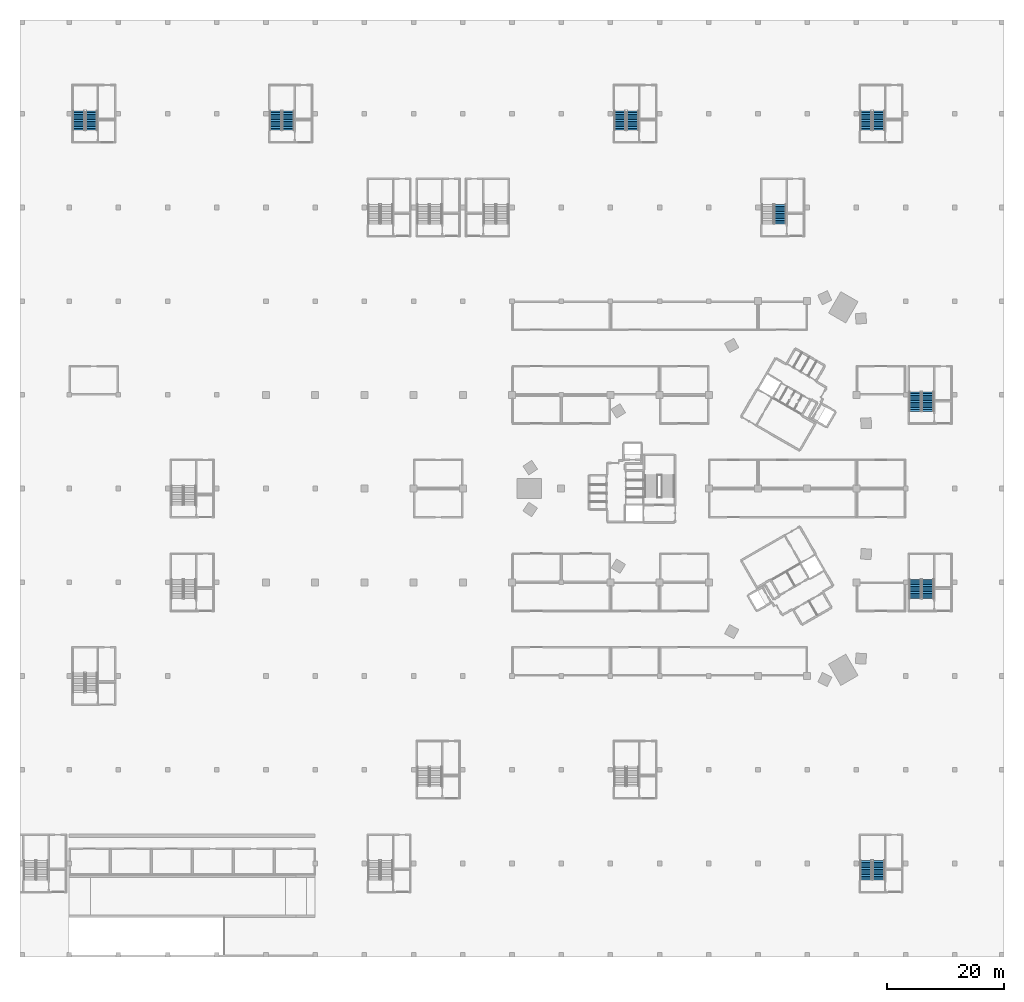
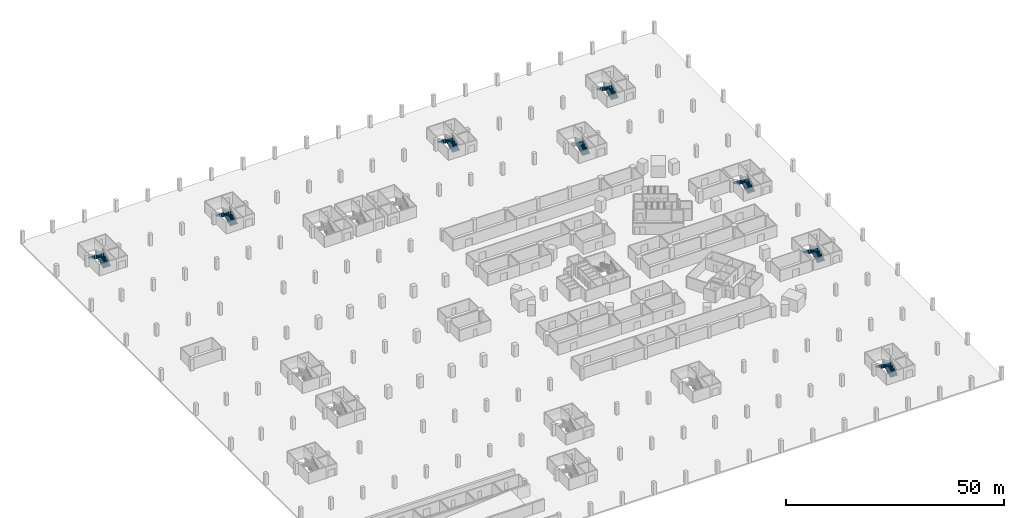
# One storey, part 18 of 37: 15 stair flights, 8 elements without a shape of their own.
"""IFC4 building model written with IfcOpenShell, lengths in metres."""

from ifc_helpers import new_model, si_unit, direction, frame, origin, place, context, subcontext, project, spatial, polyline, outline, extrude, material, layer, layer_set, type_object, element, aggregate, save


model = new_model("IFC4")

# Units and contexts
model_context = context("Model", 3, precision=1e-05, world=origin(), true_north=direction((0.0, 1.0)))
body_context = subcontext(model_context, "Body", "Model", "MODEL_VIEW")
ifc_project = project(units=[si_unit("LENGTHUNIT", "METRE"), si_unit("AREAUNIT", "SQUARE_METRE"), si_unit("VOLUMEUNIT", "CUBIC_METRE"), si_unit("PLANEANGLEUNIT", "RADIAN"), si_unit("MASSUNIT", "GRAM", prefix="KILO")], contexts=[model_context])

# Site, building, storey
site_placement = place(None, origin())
site = spatial("IfcSite", under=ifc_project, at=site_placement, CompositionType="ELEMENT")
building_placement = place(site_placement, origin())
building = spatial("IfcBuilding", under=site, at=building_placement, Name="Tamra Quay Hotel Tower", CompositionType="ELEMENT")
storey_placement = place(building_placement, frame((0.0, 0.0, -7.199951171875)))
storey = spatial("IfcBuildingStorey", under=building, at=storey_placement, Name="B2", CompositionType="ELEMENT", Elevation=-7.199951171875)

# Stair, stair flights
ifc_material_1 = material(Name="Basement exit stair")
stair_type = type_object("IfcStairType", Name="Basement exit stair", PredefinedType="HALF_TURN_STAIR", material=ifc_material_1)
stair_1_placement = place(storey_placement, origin())
stair_1 = element("IfcStair", 1, at=stair_1_placement, inside=storey, type_object=stair_type, Name="B2 Basement Exit Stair BS2", PredefinedType="HALF_TURN_STAIR")
ifc_material_2 = material(Name="Concrete M60", Category="concrete")
ifc_layer = layer(ifc_material_2, 0.14990234375)
ifc_layer_set = layer_set([ifc_layer], Name="Concrete M60 basement stair flight 150")
stair_flight_type = type_object("IfcStairFlightType", Name="Concrete M60 basement stair flight 150", PredefinedType="STRAIGHT", material=ifc_layer_set)
stair_flight_1_placement = place(storey_placement, frame((-110.5, 61.199951171875, 0.0), z_axis=(0.0, 0.0, 1.0), x_axis=(0.0, 1.0, 0.0)))
stair_flight_1 = element("IfcStairFlight", 2, at=stair_flight_1_placement, type_object=stair_flight_type, Name="BS2 flight 1", NumberOfRisers=12, NumberOfTreads=11, PredefinedType="STRAIGHT", RiserHeight=0.15, TreadLength=0.3, context=body_context, shape_type="SweptSolid", body=[
    extrude(outline(polyline([(0.0, 0.0), (0.0, 0.14990234375), (0.300048828125, 0.14990234375), (0.300048828125, 0.300048828125), (0.60009765625, 0.300048828125), (0.60009765625, 0.449951171875), (0.89990234375, 0.449951171875), (0.89990234375, 0.60009765625), (1.199951171875, 0.60009765625), (1.199951171875, 0.75), (1.5, 0.75), (1.5, 0.89990234375), (1.800048828125, 0.89990234375), (1.800048828125, 1.050048828125), (2.10009765625, 1.050048828125), (2.10009765625, 1.199951171875), (2.39990234375, 1.199951171875), (2.39990234375, 1.35009765625), (2.699951171875, 1.35009765625), (2.699951171875, 1.5), (3.0, 1.5), (3.0, 1.64990234375), (3.300048828125, 1.64990234375), (3.300048828125, 1.800048828125), (3.300048828125, 1.482421875), (0.335205078125, 0.0), (0.0, 0.0)])), frame((0.0, 1.0, 0.0), z_axis=(0.0, -1.0, 0.0), x_axis=(1.0, 0.0, 0.0)), (0.0, 0.0, 1.0), 2.0),
])
stair_flight_2_placement = place(storey_placement, frame((-112.64990234375, 64.5, 1.800048828125), z_axis=(0.0, 0.0, 1.0), x_axis=(0.0, -1.0, 0.0)))
stair_flight_2 = element("IfcStairFlight", 3, at=stair_flight_2_placement, type_object=stair_flight_type, Name="BS2 flight 2", NumberOfRisers=12, NumberOfTreads=11, PredefinedType="STRAIGHT", RiserHeight=0.15, TreadLength=0.3, context=body_context, shape_type="SweptSolid", body=[
    extrude(outline(polyline([(0.0, 0.0), (0.0, 0.14990234375), (0.300048828125, 0.14990234375), (0.300048828125, 0.300048828125), (0.60009765625, 0.300048828125), (0.60009765625, 0.449951171875), (0.89990234375, 0.449951171875), (0.89990234375, 0.60009765625), (1.199951171875, 0.60009765625), (1.199951171875, 0.75), (1.5, 0.75), (1.5, 0.89990234375), (1.800048828125, 0.89990234375), (1.800048828125, 1.050048828125), (2.10009765625, 1.050048828125), (2.10009765625, 1.199951171875), (2.39990234375, 1.199951171875), (2.39990234375, 1.35009765625), (2.699951171875, 1.35009765625), (2.699951171875, 1.5), (3.0, 1.5), (3.0, 1.64990234375), (3.300048828125, 1.64990234375), (3.300048828125, 1.800048828125), (3.300048828125, 1.482421875), (0.335205078125, 0.0), (0.0, 0.0)])), frame((0.0, 1.0, 0.0), z_axis=(0.0, -1.0, 0.0), x_axis=(1.0, 0.0, 0.0)), (0.0, 0.0, 1.0), 2.0),
])
aggregate(stair_1, [stair_flight_1, stair_flight_2])

stair_2_placement = place(storey_placement, origin())
stair_2 = element("IfcStair", 4, at=stair_2_placement, inside=storey, type_object=stair_type, Name="B2 Basement Exit Stair BS5", PredefinedType="HALF_TURN_STAIR")
stair_flight_3_placement = place(storey_placement, frame((-76.89990234375, 61.199951171875, 0.0), z_axis=(0.0, 0.0, 1.0), x_axis=(0.0, 1.0, 0.0)))
stair_flight_3 = element("IfcStairFlight", 5, at=stair_flight_3_placement, type_object=stair_flight_type, Name="BS5 flight 1", NumberOfRisers=12, NumberOfTreads=11, PredefinedType="STRAIGHT", RiserHeight=0.15, TreadLength=0.3, context=body_context, shape_type="SweptSolid", body=[
    extrude(outline(polyline([(0.0, 0.0), (0.0, 0.14990234375), (0.300048828125, 0.14990234375), (0.300048828125, 0.300048828125), (0.60009765625, 0.300048828125), (0.60009765625, 0.449951171875), (0.89990234375, 0.449951171875), (0.89990234375, 0.60009765625), (1.199951171875, 0.60009765625), (1.199951171875, 0.75), (1.5, 0.75), (1.5, 0.89990234375), (1.800048828125, 0.89990234375), (1.800048828125, 1.050048828125), (2.10009765625, 1.050048828125), (2.10009765625, 1.199951171875), (2.39990234375, 1.199951171875), (2.39990234375, 1.35009765625), (2.699951171875, 1.35009765625), (2.699951171875, 1.5), (3.0, 1.5), (3.0, 1.64990234375), (3.300048828125, 1.64990234375), (3.300048828125, 1.800048828125), (3.300048828125, 1.482421875), (0.335205078125, 0.0), (0.0, 0.0)])), frame((0.0, 1.0, 0.0), z_axis=(0.0, -1.0, 0.0), x_axis=(1.0, 0.0, 0.0)), (0.0, 0.0, 1.0), 2.0),
])
stair_flight_4_placement = place(storey_placement, frame((-79.050048828125, 64.5, 1.800048828125), z_axis=(0.0, 0.0, 1.0), x_axis=(0.0, -1.0, 0.0)))
stair_flight_4 = element("IfcStairFlight", 6, at=stair_flight_4_placement, type_object=stair_flight_type, Name="BS5 flight 2", NumberOfRisers=12, NumberOfTreads=11, PredefinedType="STRAIGHT", RiserHeight=0.15, TreadLength=0.3, context=body_context, shape_type="SweptSolid", body=[
    extrude(outline(polyline([(0.0, 0.0), (0.0, 0.14990234375), (0.300048828125, 0.14990234375), (0.300048828125, 0.300048828125), (0.60009765625, 0.300048828125), (0.60009765625, 0.449951171875), (0.89990234375, 0.449951171875), (0.89990234375, 0.60009765625), (1.199951171875, 0.60009765625), (1.199951171875, 0.75), (1.5, 0.75), (1.5, 0.89990234375), (1.800048828125, 0.89990234375), (1.800048828125, 1.050048828125), (2.10009765625, 1.050048828125), (2.10009765625, 1.199951171875), (2.39990234375, 1.199951171875), (2.39990234375, 1.35009765625), (2.699951171875, 1.35009765625), (2.699951171875, 1.5), (3.0, 1.5), (3.0, 1.64990234375), (3.300048828125, 1.64990234375), (3.300048828125, 1.800048828125), (3.300048828125, 1.482421875), (0.335205078125, 0.0), (0.0, 0.0)])), frame((0.0, 1.0, 0.0), z_axis=(0.0, -1.0, 0.0), x_axis=(1.0, 0.0, 0.0)), (0.0, 0.0, 1.0), 2.0),
])
aggregate(stair_2, [stair_flight_3, stair_flight_4])

stair_3_placement = place(storey_placement, origin())
stair_3 = element("IfcStair", 7, at=stair_3_placement, inside=storey, type_object=stair_type, Name="B2 Basement Exit Stair BS11", PredefinedType="HALF_TURN_STAIR")
stair_flight_5_placement = place(storey_placement, frame((-18.10009765625, 61.199951171875, 0.0), z_axis=(0.0, 0.0, 1.0), x_axis=(0.0, 1.0, 0.0)))
stair_flight_5 = element("IfcStairFlight", 8, at=stair_flight_5_placement, type_object=stair_flight_type, Name="BS11 flight 1", NumberOfRisers=12, NumberOfTreads=11, PredefinedType="STRAIGHT", RiserHeight=0.15, TreadLength=0.3, context=body_context, shape_type="SweptSolid", body=[
    extrude(outline(polyline([(0.0, 0.0), (0.0, 0.14990234375), (0.300048828125, 0.14990234375), (0.300048828125, 0.300048828125), (0.60009765625, 0.300048828125), (0.60009765625, 0.449951171875), (0.89990234375, 0.449951171875), (0.89990234375, 0.60009765625), (1.199951171875, 0.60009765625), (1.199951171875, 0.75), (1.5, 0.75), (1.5, 0.89990234375), (1.800048828125, 0.89990234375), (1.800048828125, 1.050048828125), (2.10009765625, 1.050048828125), (2.10009765625, 1.199951171875), (2.39990234375, 1.199951171875), (2.39990234375, 1.35009765625), (2.699951171875, 1.35009765625), (2.699951171875, 1.5), (3.0, 1.5), (3.0, 1.64990234375), (3.300048828125, 1.64990234375), (3.300048828125, 1.800048828125), (3.300048828125, 1.482421875), (0.335205078125, 0.0), (0.0, 0.0)])), frame((0.0, 1.0, 0.0), z_axis=(0.0, -1.0, 0.0), x_axis=(1.0, 0.0, 0.0)), (0.0, 0.0, 1.0), 2.0),
])
stair_flight_6_placement = place(storey_placement, frame((-20.25, 64.5, 1.800048828125), z_axis=(0.0, 0.0, 1.0), x_axis=(0.0, -1.0, 0.0)))
stair_flight_6 = element("IfcStairFlight", 9, at=stair_flight_6_placement, type_object=stair_flight_type, Name="BS11 flight 2", NumberOfRisers=12, NumberOfTreads=11, PredefinedType="STRAIGHT", RiserHeight=0.15, TreadLength=0.3, context=body_context, shape_type="SweptSolid", body=[
    extrude(outline(polyline([(0.0, 0.0), (0.0, 0.14990234375), (0.300048828125, 0.14990234375), (0.300048828125, 0.300048828125), (0.60009765625, 0.300048828125), (0.60009765625, 0.449951171875), (0.89990234375, 0.449951171875), (0.89990234375, 0.60009765625), (1.199951171875, 0.60009765625), (1.199951171875, 0.75), (1.5, 0.75), (1.5, 0.89990234375), (1.800048828125, 0.89990234375), (1.800048828125, 1.050048828125), (2.10009765625, 1.050048828125), (2.10009765625, 1.199951171875), (2.39990234375, 1.199951171875), (2.39990234375, 1.35009765625), (2.699951171875, 1.35009765625), (2.699951171875, 1.5), (3.0, 1.5), (3.0, 1.64990234375), (3.300048828125, 1.64990234375), (3.300048828125, 1.800048828125), (3.300048828125, 1.482421875), (0.335205078125, 0.0), (0.0, 0.0)])), frame((0.0, 1.0, 0.0), z_axis=(0.0, -1.0, 0.0), x_axis=(1.0, 0.0, 0.0)), (0.0, 0.0, 1.0), 2.0),
])
aggregate(stair_3, [stair_flight_5, stair_flight_6])

# Stair, stair flight
stair_4_placement = place(storey_placement, origin())
stair_4 = element("IfcStair", 10, at=stair_4_placement, inside=storey, type_object=stair_type, Name="B2 Basement Exit Stair BS12", PredefinedType="HALF_TURN_STAIR")
stair_flight_7_placement = place(storey_placement, frame((7.10009765625, 45.199951171875, 0.0), z_axis=(0.0, 0.0, 1.0), x_axis=(0.0, 1.0, 0.0)))
stair_flight_7 = element("IfcStairFlight", 11, at=stair_flight_7_placement, type_object=stair_flight_type, Name="BS12 flight 1", NumberOfRisers=12, NumberOfTreads=11, PredefinedType="STRAIGHT", RiserHeight=0.15, TreadLength=0.3, context=body_context, shape_type="SweptSolid", body=[
    extrude(outline(polyline([(0.0, 0.0), (0.0, 0.14990234375), (0.300048828125, 0.14990234375), (0.300048828125, 0.300048828125), (0.60009765625, 0.300048828125), (0.60009765625, 0.449951171875), (0.89990234375, 0.449951171875), (0.89990234375, 0.60009765625), (1.199951171875, 0.60009765625), (1.199951171875, 0.75), (1.5, 0.75), (1.5, 0.89990234375), (1.800048828125, 0.89990234375), (1.800048828125, 1.050048828125), (2.10009765625, 1.050048828125), (2.10009765625, 1.199951171875), (2.39990234375, 1.199951171875), (2.39990234375, 1.35009765625), (2.699951171875, 1.35009765625), (2.699951171875, 1.5), (3.0, 1.5), (3.0, 1.64990234375), (3.300048828125, 1.64990234375), (3.300048828125, 1.800048828125), (3.300048828125, 1.482421875), (0.335205078125, 0.0), (0.0, 0.0)])), frame((0.0, 1.0, 0.0), z_axis=(0.0, -1.0, 0.0), x_axis=(1.0, 0.0, 0.0)), (0.0, 0.0, 1.0), 2.0),
])
aggregate(stair_4, [stair_flight_7])

# Stair, stair flights
stair_5_placement = place(storey_placement, origin())
stair_5 = element("IfcStair", 12, at=stair_5_placement, inside=storey, type_object=stair_type, Name="B2 Basement Exit Stair BS13", PredefinedType="HALF_TURN_STAIR")
stair_flight_8_placement = place(storey_placement, frame((23.89990234375, -66.800048828125, 0.0), z_axis=(0.0, 0.0, 1.0), x_axis=(0.0, 1.0, 0.0)))
stair_flight_8 = element("IfcStairFlight", 13, at=stair_flight_8_placement, type_object=stair_flight_type, Name="BS13 flight 1", NumberOfRisers=12, NumberOfTreads=11, PredefinedType="STRAIGHT", RiserHeight=0.15, TreadLength=0.3, context=body_context, shape_type="SweptSolid", body=[
    extrude(outline(polyline([(0.0, 0.0), (0.0, 0.14990234375), (0.300048828125, 0.14990234375), (0.300048828125, 0.300048828125), (0.60009765625, 0.300048828125), (0.60009765625, 0.449951171875), (0.89990234375, 0.449951171875), (0.89990234375, 0.60009765625), (1.199951171875, 0.60009765625), (1.199951171875, 0.75), (1.5, 0.75), (1.5, 0.89990234375), (1.800048828125, 0.89990234375), (1.800048828125, 1.050048828125), (2.10009765625, 1.050048828125), (2.10009765625, 1.199951171875), (2.39990234375, 1.199951171875), (2.39990234375, 1.35009765625), (2.699951171875, 1.35009765625), (2.699951171875, 1.5), (3.0, 1.5), (3.0, 1.64990234375), (3.300048828125, 1.64990234375), (3.300048828125, 1.800048828125), (3.300048828125, 1.482421875), (0.335205078125, 0.0), (0.0, 0.0)])), frame((0.0, 1.0, 0.0), z_axis=(0.0, -1.0, 0.0), x_axis=(1.0, 0.0, 0.0)), (0.0, 0.0, 1.0), 2.0),
])
stair_flight_9_placement = place(storey_placement, frame((21.75, -63.5, 1.800048828125), z_axis=(0.0, 0.0, 1.0), x_axis=(0.0, -1.0, 0.0)))
stair_flight_9 = element("IfcStairFlight", 14, at=stair_flight_9_placement, type_object=stair_flight_type, Name="BS13 flight 2", NumberOfRisers=12, NumberOfTreads=11, PredefinedType="STRAIGHT", RiserHeight=0.15, TreadLength=0.3, context=body_context, shape_type="SweptSolid", body=[
    extrude(outline(polyline([(0.0, 0.0), (0.0, 0.14990234375), (0.300048828125, 0.14990234375), (0.300048828125, 0.300048828125), (0.60009765625, 0.300048828125), (0.60009765625, 0.449951171875), (0.89990234375, 0.449951171875), (0.89990234375, 0.60009765625), (1.199951171875, 0.60009765625), (1.199951171875, 0.75), (1.5, 0.75), (1.5, 0.89990234375), (1.800048828125, 0.89990234375), (1.800048828125, 1.050048828125), (2.10009765625, 1.050048828125), (2.10009765625, 1.199951171875), (2.39990234375, 1.199951171875), (2.39990234375, 1.35009765625), (2.699951171875, 1.35009765625), (2.699951171875, 1.5), (3.0, 1.5), (3.0, 1.64990234375), (3.300048828125, 1.64990234375), (3.300048828125, 1.800048828125), (3.300048828125, 1.482421875), (0.335205078125, 0.0), (0.0, 0.0)])), frame((0.0, 1.0, 0.0), z_axis=(0.0, -1.0, 0.0), x_axis=(1.0, 0.0, 0.0)), (0.0, 0.0, 1.0), 2.0),
])
aggregate(stair_5, [stair_flight_8, stair_flight_9])

stair_6_placement = place(storey_placement, origin())
stair_6 = element("IfcStair", 15, at=stair_6_placement, inside=storey, type_object=stair_type, Name="B2 Basement Exit Stair BS14", PredefinedType="HALF_TURN_STAIR")
stair_flight_10_placement = place(storey_placement, frame((23.89990234375, 61.199951171875, 0.0), z_axis=(0.0, 0.0, 1.0), x_axis=(0.0, 1.0, 0.0)))
stair_flight_10 = element("IfcStairFlight", 16, at=stair_flight_10_placement, type_object=stair_flight_type, Name="BS14 flight 1", NumberOfRisers=12, NumberOfTreads=11, PredefinedType="STRAIGHT", RiserHeight=0.15, TreadLength=0.3, context=body_context, shape_type="SweptSolid", body=[
    extrude(outline(polyline([(0.0, 0.0), (0.0, 0.14990234375), (0.300048828125, 0.14990234375), (0.300048828125, 0.300048828125), (0.60009765625, 0.300048828125), (0.60009765625, 0.449951171875), (0.89990234375, 0.449951171875), (0.89990234375, 0.60009765625), (1.199951171875, 0.60009765625), (1.199951171875, 0.75), (1.5, 0.75), (1.5, 0.89990234375), (1.800048828125, 0.89990234375), (1.800048828125, 1.050048828125), (2.10009765625, 1.050048828125), (2.10009765625, 1.199951171875), (2.39990234375, 1.199951171875), (2.39990234375, 1.35009765625), (2.699951171875, 1.35009765625), (2.699951171875, 1.5), (3.0, 1.5), (3.0, 1.64990234375), (3.300048828125, 1.64990234375), (3.300048828125, 1.800048828125), (3.300048828125, 1.482421875), (0.335205078125, 0.0), (0.0, 0.0)])), frame((0.0, 1.0, 0.0), z_axis=(0.0, -1.0, 0.0), x_axis=(1.0, 0.0, 0.0)), (0.0, 0.0, 1.0), 2.0),
])
stair_flight_11_placement = place(storey_placement, frame((21.75, 64.5, 1.800048828125), z_axis=(0.0, 0.0, 1.0), x_axis=(0.0, -1.0, 0.0)))
stair_flight_11 = element("IfcStairFlight", 17, at=stair_flight_11_placement, type_object=stair_flight_type, Name="BS14 flight 2", NumberOfRisers=12, NumberOfTreads=11, PredefinedType="STRAIGHT", RiserHeight=0.15, TreadLength=0.3, context=body_context, shape_type="SweptSolid", body=[
    extrude(outline(polyline([(0.0, 0.0), (0.0, 0.14990234375), (0.300048828125, 0.14990234375), (0.300048828125, 0.300048828125), (0.60009765625, 0.300048828125), (0.60009765625, 0.449951171875), (0.89990234375, 0.449951171875), (0.89990234375, 0.60009765625), (1.199951171875, 0.60009765625), (1.199951171875, 0.75), (1.5, 0.75), (1.5, 0.89990234375), (1.800048828125, 0.89990234375), (1.800048828125, 1.050048828125), (2.10009765625, 1.050048828125), (2.10009765625, 1.199951171875), (2.39990234375, 1.199951171875), (2.39990234375, 1.35009765625), (2.699951171875, 1.35009765625), (2.699951171875, 1.5), (3.0, 1.5), (3.0, 1.64990234375), (3.300048828125, 1.64990234375), (3.300048828125, 1.800048828125), (3.300048828125, 1.482421875), (0.335205078125, 0.0), (0.0, 0.0)])), frame((0.0, 1.0, 0.0), z_axis=(0.0, -1.0, 0.0), x_axis=(1.0, 0.0, 0.0)), (0.0, 0.0, 1.0), 2.0),
])
aggregate(stair_6, [stair_flight_10, stair_flight_11])

stair_7_placement = place(storey_placement, origin())
stair_7 = element("IfcStair", 18, at=stair_7_placement, inside=storey, type_object=stair_type, Name="B2 Basement Exit Stair BS15", PredefinedType="HALF_TURN_STAIR")
stair_flight_12_placement = place(storey_placement, frame((32.300048828125, -18.800048828125, 0.0), z_axis=(0.0, 0.0, 1.0), x_axis=(0.0, 1.0, 0.0)))
stair_flight_12 = element("IfcStairFlight", 19, at=stair_flight_12_placement, type_object=stair_flight_type, Name="BS15 flight 1", NumberOfRisers=12, NumberOfTreads=11, PredefinedType="STRAIGHT", RiserHeight=0.15, TreadLength=0.3, context=body_context, shape_type="SweptSolid", body=[
    extrude(outline(polyline([(0.0, 0.0), (0.0, 0.14990234375), (0.300048828125, 0.14990234375), (0.300048828125, 0.300048828125), (0.60009765625, 0.300048828125), (0.60009765625, 0.449951171875), (0.89990234375, 0.449951171875), (0.89990234375, 0.60009765625), (1.199951171875, 0.60009765625), (1.199951171875, 0.75), (1.5, 0.75), (1.5, 0.89990234375), (1.800048828125, 0.89990234375), (1.800048828125, 1.050048828125), (2.10009765625, 1.050048828125), (2.10009765625, 1.199951171875), (2.39990234375, 1.199951171875), (2.39990234375, 1.35009765625), (2.699951171875, 1.35009765625), (2.699951171875, 1.5), (3.0, 1.5), (3.0, 1.64990234375), (3.300048828125, 1.64990234375), (3.300048828125, 1.800048828125), (3.300048828125, 1.482421875), (0.335205078125, 0.0), (0.0, 0.0)])), frame((0.0, 1.0, 0.0), z_axis=(0.0, -1.0, 0.0), x_axis=(1.0, 0.0, 0.0)), (0.0, 0.0, 1.0), 2.0),
])
stair_flight_13_placement = place(storey_placement, frame((30.14990234375, -15.5, 1.800048828125), z_axis=(0.0, 0.0, 1.0), x_axis=(0.0, -1.0, 0.0)))
stair_flight_13 = element("IfcStairFlight", 20, at=stair_flight_13_placement, type_object=stair_flight_type, Name="BS15 flight 2", NumberOfRisers=12, NumberOfTreads=11, PredefinedType="STRAIGHT", RiserHeight=0.15, TreadLength=0.3, context=body_context, shape_type="SweptSolid", body=[
    extrude(outline(polyline([(0.0, 0.0), (0.0, 0.14990234375), (0.300048828125, 0.14990234375), (0.300048828125, 0.300048828125), (0.60009765625, 0.300048828125), (0.60009765625, 0.449951171875), (0.89990234375, 0.449951171875), (0.89990234375, 0.60009765625), (1.199951171875, 0.60009765625), (1.199951171875, 0.75), (1.5, 0.75), (1.5, 0.89990234375), (1.800048828125, 0.89990234375), (1.800048828125, 1.050048828125), (2.10009765625, 1.050048828125), (2.10009765625, 1.199951171875), (2.39990234375, 1.199951171875), (2.39990234375, 1.35009765625), (2.699951171875, 1.35009765625), (2.699951171875, 1.5), (3.0, 1.5), (3.0, 1.64990234375), (3.300048828125, 1.64990234375), (3.300048828125, 1.800048828125), (3.300048828125, 1.482421875), (0.335205078125, 0.0), (0.0, 0.0)])), frame((0.0, 1.0, 0.0), z_axis=(0.0, -1.0, 0.0), x_axis=(1.0, 0.0, 0.0)), (0.0, 0.0, 1.0), 2.0),
])
aggregate(stair_7, [stair_flight_12, stair_flight_13])

stair_8_placement = place(storey_placement, origin())
stair_8 = element("IfcStair", 21, at=stair_8_placement, inside=storey, type_object=stair_type, Name="B2 Basement Exit Stair BS16", PredefinedType="HALF_TURN_STAIR")
stair_flight_14_placement = place(storey_placement, frame((32.300048828125, 13.199951171875, 0.0), z_axis=(0.0, 0.0, 1.0), x_axis=(0.0, 1.0, 0.0)))
stair_flight_14 = element("IfcStairFlight", 22, at=stair_flight_14_placement, type_object=stair_flight_type, Name="BS16 flight 1", NumberOfRisers=12, NumberOfTreads=11, PredefinedType="STRAIGHT", RiserHeight=0.15, TreadLength=0.3, context=body_context, shape_type="SweptSolid", body=[
    extrude(outline(polyline([(0.0, 0.0), (0.0, 0.14990234375), (0.300048828125, 0.14990234375), (0.300048828125, 0.300048828125), (0.60009765625, 0.300048828125), (0.60009765625, 0.449951171875), (0.89990234375, 0.449951171875), (0.89990234375, 0.60009765625), (1.199951171875, 0.60009765625), (1.199951171875, 0.75), (1.5, 0.75), (1.5, 0.89990234375), (1.800048828125, 0.89990234375), (1.800048828125, 1.050048828125), (2.10009765625, 1.050048828125), (2.10009765625, 1.199951171875), (2.39990234375, 1.199951171875), (2.39990234375, 1.35009765625), (2.699951171875, 1.35009765625), (2.699951171875, 1.5), (3.0, 1.5), (3.0, 1.64990234375), (3.300048828125, 1.64990234375), (3.300048828125, 1.800048828125), (3.300048828125, 1.482421875), (0.335205078125, 0.0), (0.0, 0.0)])), frame((0.0, 1.0, 0.0), z_axis=(0.0, -1.0, 0.0), x_axis=(1.0, 0.0, 0.0)), (0.0, 0.0, 1.0), 2.0),
])
stair_flight_15_placement = place(storey_placement, frame((30.14990234375, 16.5, 1.800048828125), z_axis=(0.0, 0.0, 1.0), x_axis=(0.0, -1.0, 0.0)))
stair_flight_15 = element("IfcStairFlight", 23, at=stair_flight_15_placement, type_object=stair_flight_type, Name="BS16 flight 2", NumberOfRisers=12, NumberOfTreads=11, PredefinedType="STRAIGHT", RiserHeight=0.15, TreadLength=0.3, context=body_context, shape_type="SweptSolid", body=[
    extrude(outline(polyline([(0.0, 0.0), (0.0, 0.14990234375), (0.300048828125, 0.14990234375), (0.300048828125, 0.300048828125), (0.60009765625, 0.300048828125), (0.60009765625, 0.449951171875), (0.89990234375, 0.449951171875), (0.89990234375, 0.60009765625), (1.199951171875, 0.60009765625), (1.199951171875, 0.75), (1.5, 0.75), (1.5, 0.89990234375), (1.800048828125, 0.89990234375), (1.800048828125, 1.050048828125), (2.10009765625, 1.050048828125), (2.10009765625, 1.199951171875), (2.39990234375, 1.199951171875), (2.39990234375, 1.35009765625), (2.699951171875, 1.35009765625), (2.699951171875, 1.5), (3.0, 1.5), (3.0, 1.64990234375), (3.300048828125, 1.64990234375), (3.300048828125, 1.800048828125), (3.300048828125, 1.482421875), (0.335205078125, 0.0), (0.0, 0.0)])), frame((0.0, 1.0, 0.0), z_axis=(0.0, -1.0, 0.0), x_axis=(1.0, 0.0, 0.0)), (0.0, 0.0, 1.0), 2.0),
])
aggregate(stair_8, [stair_flight_14, stair_flight_15])

save(model, "model.ifc")
